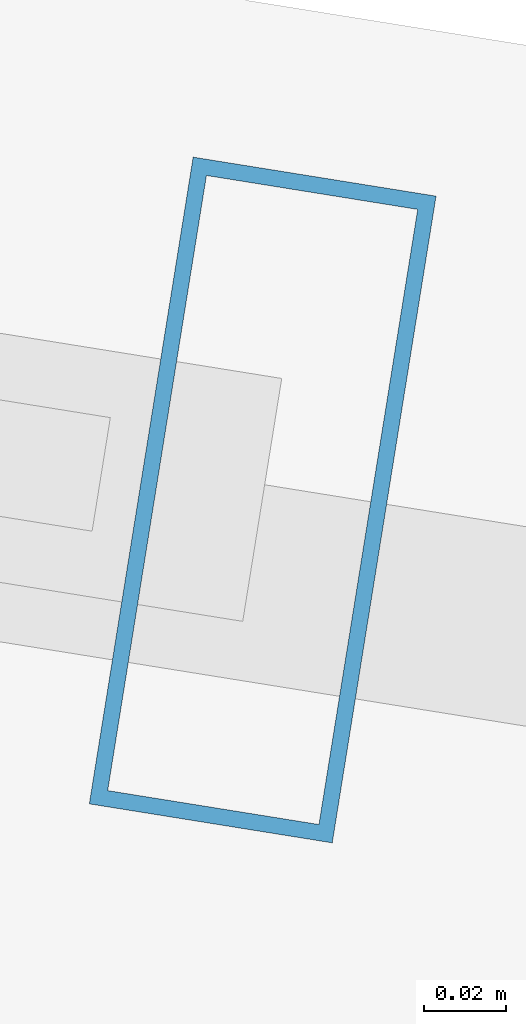
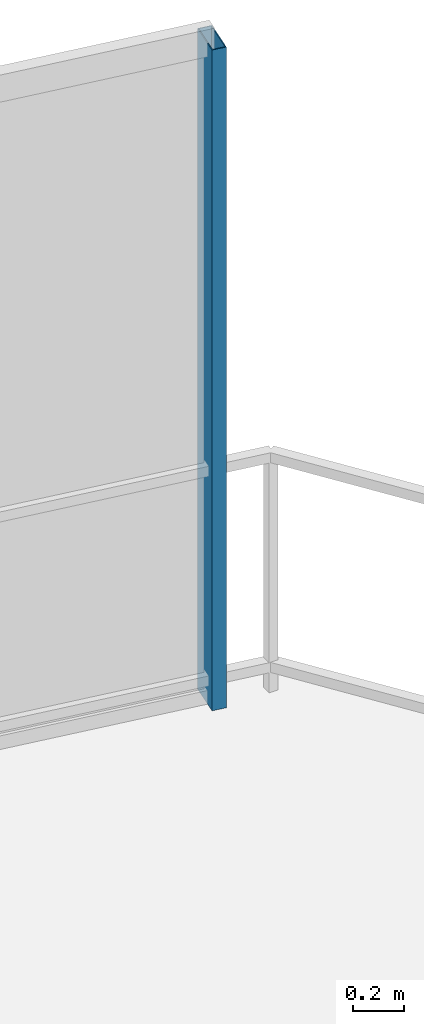
# One storey, part 23 of 31: 1 member, 1 element without a shape of its own.
"""IFC4 building model written with IfcOpenShell, lengths in metres."""

from ifc_helpers import new_model, si_unit, direction, frame, origin, origin_2d, place, context, subcontext, project, spatial, hollow_rectangle, extrude, material, layer, layer_set, material_profile, profile_set, type_object, element, aggregate, save


model = new_model("IFC4")

# Units and contexts
model_context = context("Model", 3, precision=1e-05, world=origin(), true_north=direction((0.0, 1.0)))
body_context = subcontext(model_context, "Body", "Model", "MODEL_VIEW")
ifc_project = project(units=[si_unit("LENGTHUNIT", "METRE"), si_unit("AREAUNIT", "SQUARE_METRE"), si_unit("VOLUMEUNIT", "CUBIC_METRE"), si_unit("PLANEANGLEUNIT", "RADIAN"), si_unit("MASSUNIT", "GRAM", prefix="KILO")], contexts=[model_context])

# Site, building, storey
site_placement = place(None, origin())
site = spatial("IfcSite", under=ifc_project, at=site_placement, CompositionType="ELEMENT")
building_placement = place(site_placement, origin())
building = spatial("IfcBuilding", under=site, at=building_placement, Name="Qarnah Convention Tower", CompositionType="ELEMENT")
storey_placement = place(building_placement, frame((0.0, 0.0, 33.89990234375)))
storey = spatial("IfcBuildingStorey", under=building, at=storey_placement, Name="L07", CompositionType="ELEMENT", Elevation=33.89990234375)

# Curtain wall, member
ifc_material_1 = material(Name="Tempered Low-E dark glass", Category="glass")
ifc_layer = layer(ifc_material_1, 0.16796875)
ifc_layer_set = layer_set([ifc_layer], Name="Tempered Low-E dark glass")
curtain_wall_type = type_object("IfcCurtainWallType", Name="CWS-01", PredefinedType="NOTDEFINED", material=ifc_layer_set)
curtain_wall_placement = place(storey_placement, origin())
curtain_wall = element("IfcCurtainWall", 1, at=curtain_wall_placement, inside=storey, type_object=curtain_wall_type, Name="L07 unitised curtain wall CW-L07-F1", PredefinedType="NOTDEFINED")
ifc_material_2 = material(Name="Black anodised aluminium", Category="aluminium")
ifc_material_profile = material_profile(ifc_material_2, hollow_rectangle(XDim=0.06005859375, YDim=0.159912109375, WallThickness=0.00390625, at=origin_2d()), Name="MUL-60X160")
ifc_profile_set = profile_set([ifc_material_profile], Name="Black anodised aluminium")
member_type = type_object("IfcMemberType", Name="MUL-T1", PredefinedType="MULLION", material=ifc_profile_set)
member_placement = place(storey_placement, frame((59.14501953125, 42.069091796875, 0.0), z_axis=(0.0, 0.0, 1.0), x_axis=(0.987358613708, -0.15850226477, 0.0)))
member = element("IfcMember", 2, at=member_placement, type_object=member_type, Name="CW-L07-F1 mullion 6", PredefinedType="MULLION", context=body_context, shape_type="SweptSolid", body=[
    extrude(hollow_rectangle(XDim=0.06005859375, YDim=0.159912109375, WallThickness=0.00390625, at=origin_2d()), origin(), (0.0, 0.0, 1.0), 3.170166015625),
])
aggregate(curtain_wall, [member])

save(model, "model.ifc")
